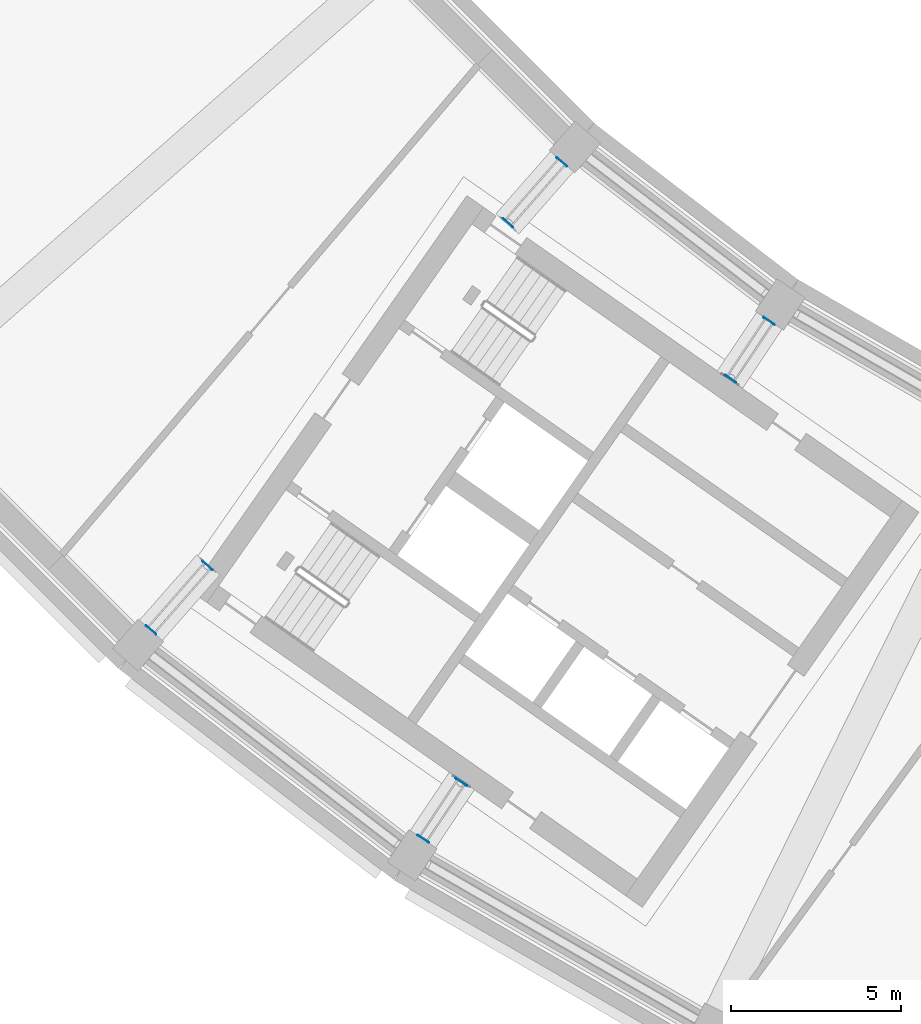
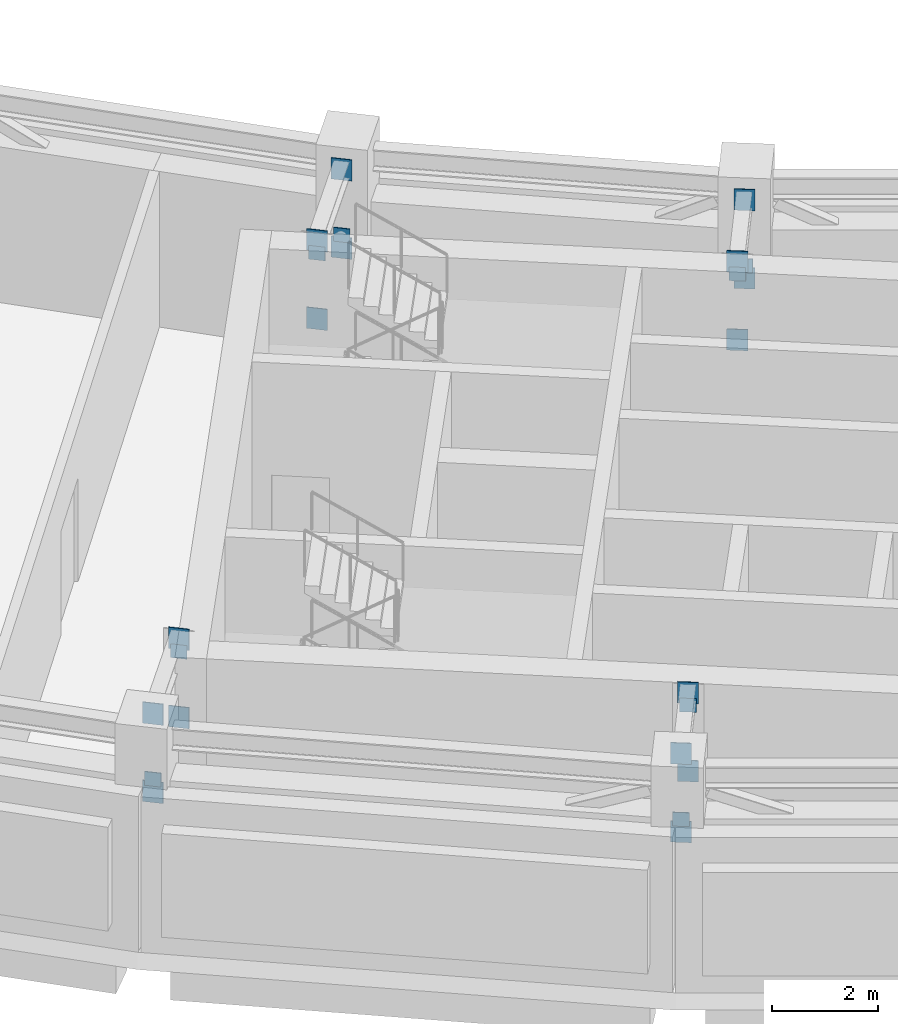
# One storey, part 11 of 24: 24 discrete accessories.
"""IFC4 building model written with IfcOpenShell, lengths in metres."""

import ifcopenshell
import ifcopenshell.guid

model = None  # the IFC model being written
_history = None  # IfcOwnerHistory: only IFC2X3 demands one
_inside = {}  # id of a spatial element -> (the spatial element, [elements in it])
_under = {}  # id of a project, library or spatial element -> (it, [spatial elements below it])
_declared = {}  # id of a project -> (the project, [libraries it declares])
_typed = {}  # id of a type object -> (the type object, [elements of that type])
_made_of = {}  # id of a material, layer set ... -> (it, [elements and type objects made of it])


def new_model(schema):
    """Start an empty IFC model of exactly this schema.

    Asked for "IFC4X3", IfcOpenShell would pick the latest addendum, in which some entities
    have other attributes; the version numbers below select the first issue.
    IFC2X3 requires an IfcOwnerHistory on every rooted entity: one is made here for all.
    """
    global model, _history
    if schema == "IFC4X3":
        model = ifcopenshell.file(schema_version=(4, 3, 0, 0))
    else:
        model = ifcopenshell.file(schema=schema)
    _inside.clear()
    _under.clear()
    _declared.clear()
    _typed.clear()
    _made_of.clear()
    _history = None
    if model.schema == "IFC2X3":
        org = make("IfcOrganization", Name="unknown")
        user = make(
            "IfcPersonAndOrganization",
            ThePerson=make("IfcPerson", FamilyName="unknown"),
            TheOrganization=org,
        )
        app = make(
            "IfcApplication",
            ApplicationDeveloper=org,
            Version="unknown",
            ApplicationFullName="unknown",
            ApplicationIdentifier="unknown",
        )
        _history = make(
            "IfcOwnerHistory",
            OwningUser=user,
            OwningApplication=app,
            ChangeAction="ADDED",
            CreationDate=0,
        )
    return model


def make(cls, **values):
    """One entity of the class cls with the attributes given. An attribute that is None is left unset."""
    return model.create_entity(
        cls, **{name: value for name, value in values.items() if value is not None}
    )


def rooted(cls, **values):
    """An entity with a GlobalId (a new one), such as an element, a storey or a relation."""
    return make(cls, GlobalId=ifcopenshell.guid.new(), OwnerHistory=_history, **values)


def si_unit(unit_type, name, prefix=None):
    """IfcSIUnit, for example si_unit("LENGTHUNIT", "METRE", prefix="MILLI")."""
    return make("IfcSIUnit", UnitType=unit_type, Prefix=prefix, Name=name)


def assignment(units):
    """IfcUnitAssignment: the units of a project."""
    return None if units is None else make("IfcUnitAssignment", Units=units)


def point(xyz):
    """IfcCartesianPoint."""
    return None if xyz is None else make("IfcCartesianPoint", Coordinates=xyz)


def direction(xyz):
    """IfcDirection."""
    return None if xyz is None else make("IfcDirection", DirectionRatios=xyz)


def frame(location, z_axis=None, x_axis=None):
    """IfcAxis2Placement3D, a coordinate frame: its origin and axes. An axis left out is left unset."""
    return make(
        "IfcAxis2Placement3D",
        Location=point(location),
        Axis=direction(z_axis),
        RefDirection=direction(x_axis),
    )


def frame_2d(location, x_axis=None):
    """IfcAxis2Placement2D, a coordinate frame in the plane: its origin and x axis."""
    return make(
        "IfcAxis2Placement2D", Location=point(location), RefDirection=direction(x_axis)
    )


def origin():
    """The frame at (0, 0, 0) with its axes left unset."""
    return frame((0.0, 0.0, 0.0))


def origin_2d():
    """The frame at (0, 0) in the plane with its x axis left unset."""
    return frame_2d((0.0, 0.0))


def place(relative_to, where):
    """IfcLocalPlacement: puts the frame where relative to a parent placement (None: the world)."""
    return make(
        "IfcLocalPlacement", PlacementRelTo=relative_to, RelativePlacement=where
    )


def context(
    kind, dimensions, precision=None, world=None, true_north=None, identifier=None
):
    """IfcGeometricRepresentationContext, for example the 3D "Model" context."""
    return make(
        "IfcGeometricRepresentationContext",
        ContextIdentifier=identifier,
        ContextType=kind,
        CoordinateSpaceDimension=dimensions,
        Precision=precision,
        WorldCoordinateSystem=world,
        TrueNorth=true_north,
    )


def subcontext(parent, identifier, kind, view, scale=None):
    """IfcGeometricRepresentationSubContext, for example "Body" below "Model"."""
    return make(
        "IfcGeometricRepresentationSubContext",
        ContextIdentifier=identifier,
        ContextType=kind,
        ParentContext=parent,
        TargetScale=scale,
        TargetView=view,
    )


def project(units=None, contexts=None):
    """IfcProject with its units and contexts."""
    return rooted(
        "IfcProject",
        Name="project",
        RepresentationContexts=contexts,
        UnitsInContext=assignment(units),
    )


def spatial(cls, under=None, at=None, **own):
    """A site, building, storey or space (cls), placed at a placement, below another one or the project."""
    s = rooted(cls, ObjectPlacement=at, **own)
    if under is not None:
        _under.setdefault(under.id(), (under, []))[1].append(s)
    return s


def profile(cls, at=None, kind="AREA", **sizes):
    """A parametric profile (cls). Its sizes go by their IFC names, for example OverallWidth=200.0."""
    return make(cls, ProfileType=kind, Position=at, **sizes)


def rectangle(**sizes):
    """IfcRectangleProfileDef."""
    return profile("IfcRectangleProfileDef", **sizes)


def extrude(swept, where, along, depth):
    """IfcExtrudedAreaSolid: the profile swept, set in the frame where, extruded along a direction by depth."""
    return make(
        "IfcExtrudedAreaSolid",
        SweptArea=swept,
        Position=where,
        ExtrudedDirection=direction(along),
        Depth=depth,
    )


def shape(context_of_items, identifier, shape_type, items):
    """IfcShapeRepresentation: the items that make up one representation, for example the "Body"."""
    return make(
        "IfcShapeRepresentation",
        ContextOfItems=context_of_items,
        RepresentationIdentifier=identifier,
        RepresentationType=shape_type,
        Items=items,
    )


def material(Name=None, Category=None):
    """IfcMaterial."""
    return make("IfcMaterial", Name=Name, Category=Category)


def layer(
    of_material, thickness, ventilated=None, Name=None, Category=None, Priority=None
):
    """IfcMaterialLayer: one layer of a wall or slab, of a material (None: an air gap)."""
    return make(
        "IfcMaterialLayer",
        Material=of_material,
        LayerThickness=thickness,
        IsVentilated=ventilated,
        Name=Name,
        Category=Category,
        Priority=Priority,
    )


def layer_set(layers, Name=None):
    """IfcMaterialLayerSet."""
    return make("IfcMaterialLayerSet", MaterialLayers=layers, LayerSetName=Name)


def made_of(thing, what):
    """Note that an element or type object is made of a material, layer set ...; save() writes the relation."""
    if what is not None:
        _made_of.setdefault(what.id(), (what, []))[1].append(thing)
    return thing


def type_object(cls, material=None, **own):
    """A type object (cls), such as IfcWallType, which elements share."""
    return made_of(rooted(cls, **own), material)


def element(
    cls,
    number,
    at=None,
    inside=None,
    cuts=None,
    type_object=None,
    material=None,
    context=None,
    identifier="Body",
    shape_type=None,
    held_by="IfcProductDefinitionShape",
    body=None,
    shapes=None,
    **own,
):
    """One element of the class cls, such as IfcWall. Its Tag is "e" and its number.

    at: its placement. inside: the storey or other place that contains it. cuts: it is an
    opening in that element (IfcRelVoidsElement). A single representation is given by context,
    identifier, shape_type and body (its items); several are given by shapes. held_by: the class
    of the entity that holds the representations. save() writes the other relations.
    """
    e = rooted(cls, Tag="e%d" % number, ObjectPlacement=at, **own)
    if body is not None:
        shapes = [shape(context, identifier, shape_type, body)]
    if shapes is not None:
        e.Representation = make(held_by, Representations=shapes)
    if inside is not None:
        _inside.setdefault(inside.id(), (inside, []))[1].append(e)
    if cuts is not None:
        rooted(
            "IfcRelVoidsElement", RelatingBuildingElement=cuts, RelatedOpeningElement=e
        )
    if type_object is not None:
        _typed.setdefault(type_object.id(), (type_object, []))[1].append(e)
    return made_of(e, material)


def aggregate(whole, parts):
    """IfcRelAggregates: a whole, such as a stair, and the parts it consists of."""
    return rooted("IfcRelAggregates", RelatingObject=whole, RelatedObjects=parts)


def save(model, path):
    """Write the relations noted so far, then the file.

    IfcRelAggregates (storeys below a building ...), IfcRelContainedInSpatialStructure (elements
    in a storey), IfcRelDefinesByType, IfcRelAssociatesMaterial and IfcRelDeclares: one each for
    every whole, place, type object, material and project.
    """
    for whole, parts in _under.values():
        aggregate(whole, parts)
    for where, things in _inside.values():
        rooted(
            "IfcRelContainedInSpatialStructure",
            RelatedElements=things,
            RelatingStructure=where,
        )
    for kind, things in _typed.values():
        rooted("IfcRelDefinesByType", RelatedObjects=things, RelatingType=kind)
    for what, things in _made_of.values():
        rooted("IfcRelAssociatesMaterial", RelatedObjects=things, RelatingMaterial=what)
    for by, libraries in _declared.values():
        rooted("IfcRelDeclares", RelatingContext=by, RelatedDefinitions=libraries)
    model.write(path)


model = new_model("IFC4")

# Units and contexts
model_context = context("Model", 3, precision=1e-05, world=origin(), true_north=direction((0.0, 1.0)))
body_context = subcontext(model_context, "Body", "Model", "MODEL_VIEW")
ifc_project = project(units=[si_unit("LENGTHUNIT", "METRE"), si_unit("AREAUNIT", "SQUARE_METRE"), si_unit("VOLUMEUNIT", "CUBIC_METRE"), si_unit("PLANEANGLEUNIT", "RADIAN"), si_unit("MASSUNIT", "GRAM", prefix="KILO")], contexts=[model_context])

# Site, building, storey
site_placement = place(None, origin())
site = spatial("IfcSite", under=ifc_project, at=site_placement, CompositionType="ELEMENT")
building_placement = place(site_placement, origin())
building = spatial("IfcBuilding", under=site, at=building_placement, Name="Qamariyya Broadcast Tower", CompositionType="ELEMENT")
storey_placement = place(building_placement, frame((0.0, 0.0, 253.10009765625)))
storey = spatial("IfcBuildingStorey", under=building, at=storey_placement, Name="L61", CompositionType="ELEMENT", Elevation=253.10009765625)

# Discrete accessories
ifc_material = material(Name="Steel S355", Category="steel")
ifc_layer = layer(ifc_material, 0.02001953125)
ifc_layer_set = layer_set([ifc_layer], Name="End plate 20 Steel S355")
discrete_accessory_type = type_object("IfcDiscreteAccessoryType", Name="End plate 20 Steel S355", PredefinedType="BRACKET", material=ifc_layer_set)
for number, where, z_axis, x_axis, name in (
    (1, (-38.792724609375, -44.234375, 4.259765625), (0.0, 0.0, 1.0), (-0.751839807479, 0.6593458151, 0.0), "End plate EP1 L61 R05 tc"),
    (2, (-40.37109375, -46.034423828125, 4.259765625), (0.0, 0.0, 1.0), (-0.751839807479, 0.6593458151, 0.0), "End plate EP1 L61 R05 tc"),
    (3, (-38.792724609375, -44.234375, 2.44970703125), (0.0, 0.0, 1.0), (-0.751839807479, 0.6593458151, 0.0), "End plate EP1 L61 R05 bc"),
    (4, (-40.37109375, -46.034423828125, 2.44970703125), (0.0, 0.0, 1.0), (-0.751839807479, 0.6593458151, 0.0), "End plate EP1 L61 R05 bc"),
):
    element("IfcDiscreteAccessory", number, at=place(storey_placement, frame(where, z_axis=z_axis, x_axis=x_axis)), inside=storey, type_object=discrete_accessory_type, Name=name, PredefinedType="BRACKET", context=body_context, shape_type="SweptSolid", body=[
        extrude(rectangle(XDim=0.39990234375, YDim=0.02001953125, at=origin_2d()), origin(), (0.0, 0.0, 1.0), 0.489990234375),
    ])
for number, where, z_axis, x_axis, name in (
    (5, (-38.792724609375, -44.234375, 2.82666015625), (0.0, 0.0, 1.0), (-0.751839807479, 0.6593458151, 0.0), "End plate EP1 L61 R05 dg"),
    (6, (-40.37109375, -46.034423828125, 4.05419921875), (0.0, 0.0, 1.0), (-0.751839807479, 0.6593458151, 0.0), "End plate EP1 L61 R05 dg"),
):
    element("IfcDiscreteAccessory", number, at=place(storey_placement, frame(where, z_axis=z_axis, x_axis=x_axis)), inside=storey, type_object=discrete_accessory_type, Name=name, PredefinedType="BRACKET", context=body_context, shape_type="SweptSolid", body=[
        extrude(rectangle(XDim=0.319091796875, YDim=0.02001953125, at=origin_2d()), origin(), (0.0, 0.0, 1.0), 0.319091796875),
    ])
for number, where, z_axis, x_axis, name in (
    (7, (-49.217529296875, -56.121826171875, 4.259765625), (0.0, 0.0, 1.0), (-0.751839807479, 0.6593458151, 0.0), "End plate EP1 L61 R05 tc"),
    (8, (-50.87841796875, -58.015625, 4.259765625), (0.0, 0.0, 1.0), (-0.751839807479, 0.6593458151, 0.0), "End plate EP1 L61 R05 tc"),
    (9, (-49.217529296875, -56.121826171875, 2.44970703125), (0.0, 0.0, 1.0), (-0.751839807479, 0.6593458151, 0.0), "End plate EP1 L61 R05 bc"),
    (10, (-50.87841796875, -58.015625, 2.44970703125), (0.0, 0.0, 1.0), (-0.751839807479, 0.6593458151, 0.0), "End plate EP1 L61 R05 bc"),
):
    element("IfcDiscreteAccessory", number, at=place(storey_placement, frame(where, z_axis=z_axis, x_axis=x_axis)), inside=storey, type_object=discrete_accessory_type, Name=name, PredefinedType="BRACKET", context=body_context, shape_type="SweptSolid", body=[
        extrude(rectangle(XDim=0.39990234375, YDim=0.02001953125, at=origin_2d()), origin(), (0.0, 0.0, 1.0), 0.489990234375),
    ])
for number, where, z_axis, x_axis, name in (
    (11, (-49.217529296875, -56.121826171875, 4.052734375), (0.0, 0.0, 1.0), (-0.751839807479, 0.6593458151, 0.0), "End plate EP1 L61 R05 dg"),
    (12, (-50.87841796875, -58.015625, 2.828125), (0.0, 0.0, 1.0), (-0.751839807479, 0.6593458151, 0.0), "End plate EP1 L61 R05 dg"),
):
    element("IfcDiscreteAccessory", number, at=place(storey_placement, frame(where, z_axis=z_axis, x_axis=x_axis)), inside=storey, type_object=discrete_accessory_type, Name=name, PredefinedType="BRACKET", context=body_context, shape_type="SweptSolid", body=[
        extrude(rectangle(XDim=0.319091796875, YDim=0.02001953125, at=origin_2d()), origin(), (0.0, 0.0, 1.0), 0.319091796875),
    ])
for number, where, z_axis, x_axis, name in (
    (13, (-32.68701171875, -48.91943359375, 4.259765625), (0.0, 0.0, 1.0), (-0.831469612303, 0.55557023302, 0.0), "End plate EP1 L61 R06 tc"),
    (14, (-33.82275390625, -50.619384765625, 4.259765625), (0.0, 0.0, 1.0), (-0.831469612303, 0.55557023302, 0.0), "End plate EP1 L61 R06 tc"),
    (15, (-32.68701171875, -48.91943359375, 2.44970703125), (0.0, 0.0, 1.0), (-0.831469612303, 0.55557023302, 0.0), "End plate EP1 L61 R06 bc"),
    (16, (-33.82275390625, -50.619384765625, 2.44970703125), (0.0, 0.0, 1.0), (-0.831469612303, 0.55557023302, 0.0), "End plate EP1 L61 R06 bc"),
):
    element("IfcDiscreteAccessory", number, at=place(storey_placement, frame(where, z_axis=z_axis, x_axis=x_axis)), inside=storey, type_object=discrete_accessory_type, Name=name, PredefinedType="BRACKET", context=body_context, shape_type="SweptSolid", body=[
        extrude(rectangle(XDim=0.39990234375, YDim=0.02001953125, at=origin_2d()), origin(), (0.0, 0.0, 1.0), 0.489990234375),
    ])
for number, where, z_axis, x_axis, name in (
    (17, (-32.68701171875, -48.91943359375, 2.822265625), (0.0, 0.0, 1.0), (-0.831469612303, 0.55557023302, 0.0), "End plate EP1 L61 R06 dg"),
    (18, (-33.82275390625, -50.619384765625, 4.05859375), (0.0, 0.0, 1.0), (-0.831469612303, 0.55557023302, 0.0), "End plate EP1 L61 R06 dg"),
):
    element("IfcDiscreteAccessory", number, at=place(storey_placement, frame(where, z_axis=z_axis, x_axis=x_axis)), inside=storey, type_object=discrete_accessory_type, Name=name, PredefinedType="BRACKET", context=body_context, shape_type="SweptSolid", body=[
        extrude(rectangle(XDim=0.319091796875, YDim=0.02001953125, at=origin_2d()), origin(), (0.0, 0.0, 1.0), 0.319091796875),
    ])
for number, where, z_axis, x_axis, name in (
    (19, (-41.752685546875, -62.4873046875, 4.259765625), (0.0, 0.0, 1.0), (-0.831469612303, 0.55557023302, 0.0), "End plate EP1 L61 R06 tc"),
    (20, (-42.87060546875, -64.160400390625, 4.259765625), (0.0, 0.0, 1.0), (-0.831469612303, 0.55557023302, 0.0), "End plate EP1 L61 R06 tc"),
    (21, (-41.752685546875, -62.4873046875, 2.44970703125), (0.0, 0.0, 1.0), (-0.831469612303, 0.55557023302, 0.0), "End plate EP1 L61 R06 bc"),
    (22, (-42.87060546875, -64.160400390625, 2.44970703125), (0.0, 0.0, 1.0), (-0.831469612303, 0.55557023302, 0.0), "End plate EP1 L61 R06 bc"),
):
    element("IfcDiscreteAccessory", number, at=place(storey_placement, frame(where, z_axis=z_axis, x_axis=x_axis)), inside=storey, type_object=discrete_accessory_type, Name=name, PredefinedType="BRACKET", context=body_context, shape_type="SweptSolid", body=[
        extrude(rectangle(XDim=0.39990234375, YDim=0.02001953125, at=origin_2d()), origin(), (0.0, 0.0, 1.0), 0.489990234375),
    ])
for number, where, z_axis, x_axis, name in (
    (23, (-41.752685546875, -62.4873046875, 4.05908203125), (0.0, 0.0, 1.0), (-0.831469612303, 0.55557023302, 0.0), "End plate EP1 L61 R06 dg"),
    (24, (-42.87060546875, -64.160400390625, 2.82177734375), (0.0, 0.0, 1.0), (-0.831469612303, 0.55557023302, 0.0), "End plate EP1 L61 R06 dg"),
):
    element("IfcDiscreteAccessory", number, at=place(storey_placement, frame(where, z_axis=z_axis, x_axis=x_axis)), inside=storey, type_object=discrete_accessory_type, Name=name, PredefinedType="BRACKET", context=body_context, shape_type="SweptSolid", body=[
        extrude(rectangle(XDim=0.319091796875, YDim=0.02001953125, at=origin_2d()), origin(), (0.0, 0.0, 1.0), 0.319091796875),
    ])

save(model, "model.ifc")
